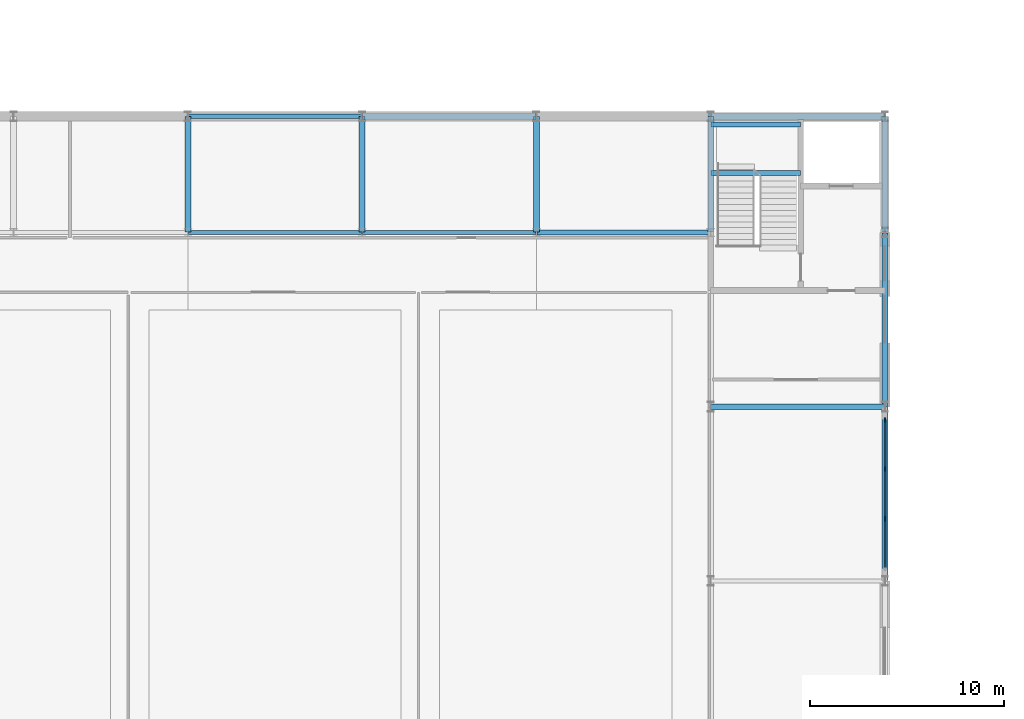
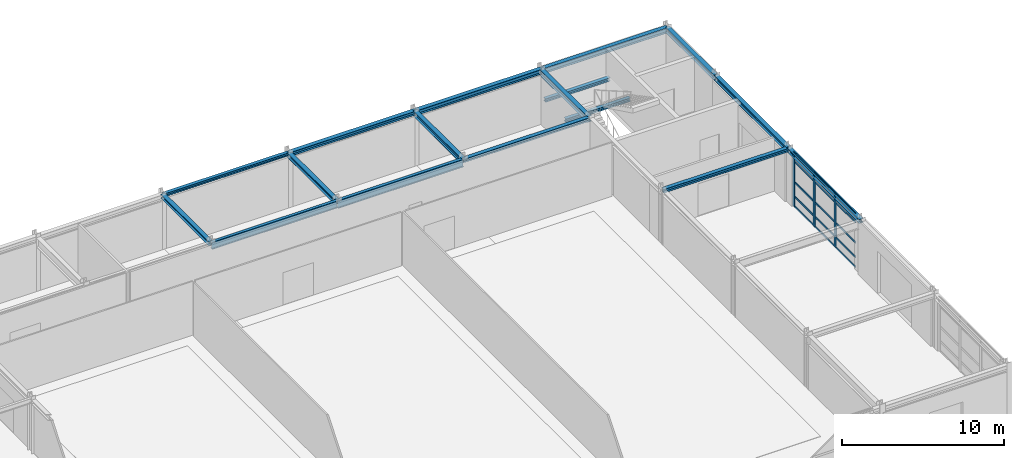
# One storey, part 45 of 72: 18 members, 17 beams, 1 element without a shape of its own.
"""IFC4 building model written with IfcOpenShell, lengths in metres."""

from ifc_helpers import new_model, si_unit, direction, frame, origin, origin_2d, place, context, subcontext, project, spatial, rectangle, i_section, extrude, material, material_profile, profile_set, type_object, element, aggregate, save


model = new_model("IFC4")

# Units and contexts
model_context = context("Model", 3, precision=1e-05, world=origin(), true_north=direction((0.0, 1.0)))
body_context = subcontext(model_context, "Body", "Model", "MODEL_VIEW")
ifc_project = project(units=[si_unit("LENGTHUNIT", "METRE"), si_unit("AREAUNIT", "SQUARE_METRE"), si_unit("VOLUMEUNIT", "CUBIC_METRE"), si_unit("PLANEANGLEUNIT", "RADIAN"), si_unit("MASSUNIT", "GRAM", prefix="KILO")], contexts=[model_context])

# Site, building, storey
site_placement = place(None, origin())
site = spatial("IfcSite", under=ifc_project, at=site_placement, CompositionType="ELEMENT")
building_placement = place(site_placement, origin())
building = spatial("IfcBuilding", under=site, at=building_placement, Name="Palais des Congres Ocreval", CompositionType="ELEMENT")
storey_placement = place(building_placement, origin())
storey = spatial("IfcBuildingStorey", under=building, at=storey_placement, Name="L00", CompositionType="ELEMENT", Elevation=0.0)

# Beams
ifc_material_1 = material(Name="Steel S355", Category="steel")
ifc_material_profile_1 = material_profile(ifc_material_1, i_section(OverallWidth=0.2099609375, OverallDepth=0.550048828125, WebThickness=0.010986328125, FlangeThickness=0.01708984375, at=origin_2d()), Name="IPE 550")
ifc_profile_set_1 = profile_set([ifc_material_profile_1], Name="Steel S355")
beam_type_1 = type_object("IfcBeamType", Name="Composite Beam IPE 550 Steel S355", PredefinedType="BEAM", material=ifc_profile_set_1)
beam_1_placement = place(storey_placement, frame((126.02001953125, 108.0, 3.780029296875), z_axis=(1.0, 0.0, 0.0), x_axis=(0.0, 1.0, 0.0)))
element("IfcBeam", 1, at=beam_1_placement, inside=storey, type_object=beam_type_1, Name="Beam B05 L00", PredefinedType="BEAM", context=body_context, shape_type="SweptSolid", body=[
    extrude(i_section(OverallWidth=0.2099609375, OverallDepth=0.550048828125, WebThickness=0.010986328125, FlangeThickness=0.01708984375, at=origin_2d()), origin(), (0.0, 0.0, 1.0), 8.9599609375),
])
ifc_material_profile_2 = material_profile(ifc_material_1, i_section(OverallWidth=0.219970703125, OverallDepth=0.60009765625, WebThickness=0.011962890625, FlangeThickness=0.01904296875, at=origin_2d()), Name="IPE 600")
ifc_profile_set_2 = profile_set([ifc_material_profile_2], Name="Steel S355")
beam_type_2 = type_object("IfcBeamType", Name="Composite Beam IPE 600 Steel S355", PredefinedType="BEAM", material=ifc_profile_set_2)
beam_2_placement = place(storey_placement, frame((135.02001953125, 108.0, 3.7548828125), z_axis=(1.0, 0.0, 0.0), x_axis=(0.0, 1.0, 0.0)))
element("IfcBeam", 2, at=beam_2_placement, inside=storey, type_object=beam_type_2, Name="Beam B06 L00", PredefinedType="BEAM", context=body_context, shape_type="SweptSolid", body=[
    extrude(i_section(OverallWidth=0.219970703125, OverallDepth=0.60009765625, WebThickness=0.011962890625, FlangeThickness=0.01904296875, at=origin_2d()), origin(), (0.0, 0.0, 1.0), 8.9599609375),
])

# Curtain wall, members
ifc_material_2 = material(Name="Anodized bronze aluminium and low-E glass", Category="glass")
curtain_wall_type = type_object("IfcCurtainWallType", Name="Unitised Curtain Wall 7900x4060", PredefinedType="USERDEFINED", material=ifc_material_2)
curtain_wall_placement = place(storey_placement, origin())
curtain_wall = element("IfcCurtainWall", 3, at=curtain_wall_placement, inside=storey, type_object=curtain_wall_type, Name="Unitised Curtain Wall CW01 L00", ObjectType="UNITISED CURTAIN WALL", PredefinedType="USERDEFINED")
ifc_material_3 = material(Name="Anodized bronze aluminium", Category="aluminium")
ifc_material_profile_3 = material_profile(ifc_material_3, rectangle(XDim=0.074951171875, YDim=0.239990234375, at=origin_2d()), Name="ALU 75x240")
ifc_profile_set_3 = profile_set([ifc_material_profile_3], Name="Anodized bronze aluminium")
member_type_1 = type_object("IfcMemberType", Name="Curtain Wall Mullion ALU 75x240", PredefinedType="MULLION", material=ifc_profile_set_3)
member_1_placement = place(storey_placement, frame((162.0, 98.3125, 0.0), z_axis=(0.0, 0.0, 1.0), x_axis=(1.0, 0.0, 0.0)))
member_1 = element("IfcMember", 4, at=member_1_placement, type_object=member_type_1, Name="Curtain Wall Mullion ML01", PredefinedType="MULLION", context=body_context, shape_type="SweptSolid", body=[
    extrude(rectangle(XDim=0.074951171875, YDim=0.239990234375, at=origin_2d()), origin(), (0.0, 0.0, 1.0), 4.054931640625),
])
member_2_placement = place(storey_placement, frame((162.0, 95.783203125, 0.0), z_axis=(0.0, 0.0, 1.0), x_axis=(1.0, 0.0, 0.0)))
member_2 = element("IfcMember", 5, at=member_2_placement, type_object=member_type_1, Name="Curtain Wall Mullion ML01", PredefinedType="MULLION", context=body_context, shape_type="SweptSolid", body=[
    extrude(rectangle(XDim=0.074951171875, YDim=0.239990234375, at=origin_2d()), origin(), (0.0, 0.0, 1.0), 4.054931640625),
])
member_3_placement = place(storey_placement, frame((162.0, 93.216796875, 0.0), z_axis=(0.0, 0.0, 1.0), x_axis=(1.0, 0.0, 0.0)))
member_3 = element("IfcMember", 6, at=member_3_placement, type_object=member_type_1, Name="Curtain Wall Mullion ML01", PredefinedType="MULLION", context=body_context, shape_type="SweptSolid", body=[
    extrude(rectangle(XDim=0.074951171875, YDim=0.239990234375, at=origin_2d()), origin(), (0.0, 0.0, 1.0), 4.054931640625),
])
ifc_material_profile_4 = material_profile(ifc_material_3, rectangle(XDim=0.06005859375, YDim=0.14990234375, at=origin_2d()), Name="ALU 60x150")
ifc_profile_set_4 = profile_set([ifc_material_profile_4], Name="Anodized bronze aluminium")
member_type_2 = type_object("IfcMemberType", Name="Curtain Wall Transom ALU 60x150", PredefinedType="USERDEFINED", material=ifc_profile_set_4)
member_4_placement = place(storey_placement, frame((162.0, 98.27490234375, 0.030029296875), z_axis=(0.0, -1.0, 0.0), x_axis=(1.0, 0.0, 0.0)))
member_4 = element("IfcMember", 7, at=member_4_placement, type_object=member_type_2, Name="Curtain Wall Transom TR01", ObjectType="TRANSOM", PredefinedType="USERDEFINED", context=body_context, shape_type="SweptSolid", body=[
    extrude(rectangle(XDim=0.06005859375, YDim=0.14990234375, at=origin_2d()), origin(), (0.0, 0.0, 1.0), 2.4541015625),
])
member_5_placement = place(storey_placement, frame((162.0, 98.27490234375, 0.780029296875), z_axis=(0.0, -1.0, 0.0), x_axis=(1.0, 0.0, 0.0)))
member_5 = element("IfcMember", 8, at=member_5_placement, type_object=member_type_2, Name="Curtain Wall Transom TR01", ObjectType="TRANSOM", PredefinedType="USERDEFINED", context=body_context, shape_type="SweptSolid", body=[
    extrude(rectangle(XDim=0.06005859375, YDim=0.14990234375, at=origin_2d()), origin(), (0.0, 0.0, 1.0), 2.4541015625),
])
member_6_placement = place(storey_placement, frame((162.0, 98.27490234375, 1.872802734375), z_axis=(0.0, -1.0, 0.0), x_axis=(1.0, 0.0, 0.0)))
member_6 = element("IfcMember", 9, at=member_6_placement, type_object=member_type_2, Name="Curtain Wall Transom TR01", ObjectType="TRANSOM", PredefinedType="USERDEFINED", context=body_context, shape_type="SweptSolid", body=[
    extrude(rectangle(XDim=0.06005859375, YDim=0.14990234375, at=origin_2d()), origin(), (0.0, 0.0, 1.0), 2.4541015625),
])
member_7_placement = place(storey_placement, frame((162.0, 98.27490234375, 3.405029296875), z_axis=(0.0, -1.0, 0.0), x_axis=(1.0, 0.0, 0.0)))
member_7 = element("IfcMember", 10, at=member_7_placement, type_object=member_type_2, Name="Curtain Wall Transom TR01", ObjectType="TRANSOM", PredefinedType="USERDEFINED", context=body_context, shape_type="SweptSolid", body=[
    extrude(rectangle(XDim=0.06005859375, YDim=0.14990234375, at=origin_2d()), origin(), (0.0, 0.0, 1.0), 2.4541015625),
])
member_8_placement = place(storey_placement, frame((162.0, 98.27490234375, 4.02490234375), z_axis=(0.0, -1.0, 0.0), x_axis=(1.0, 0.0, 0.0)))
member_8 = element("IfcMember", 11, at=member_8_placement, type_object=member_type_2, Name="Curtain Wall Transom TR01", ObjectType="TRANSOM", PredefinedType="USERDEFINED", context=body_context, shape_type="SweptSolid", body=[
    extrude(rectangle(XDim=0.06005859375, YDim=0.14990234375, at=origin_2d()), origin(), (0.0, 0.0, 1.0), 2.4541015625),
])
member_9_placement = place(storey_placement, frame((162.0, 95.745849609375, 0.030029296875), z_axis=(0.0, -1.0, 0.0), x_axis=(1.0, 0.0, 0.0)))
member_9 = element("IfcMember", 12, at=member_9_placement, type_object=member_type_2, Name="Curtain Wall Transom TR01", ObjectType="TRANSOM", PredefinedType="USERDEFINED", context=body_context, shape_type="SweptSolid", body=[
    extrude(rectangle(XDim=0.06005859375, YDim=0.14990234375, at=origin_2d()), origin(), (0.0, 0.0, 1.0), 2.49169921875),
])
member_10_placement = place(storey_placement, frame((162.0, 95.745849609375, 0.780029296875), z_axis=(0.0, -1.0, 0.0), x_axis=(1.0, 0.0, 0.0)))
member_10 = element("IfcMember", 13, at=member_10_placement, type_object=member_type_2, Name="Curtain Wall Transom TR01", ObjectType="TRANSOM", PredefinedType="USERDEFINED", context=body_context, shape_type="SweptSolid", body=[
    extrude(rectangle(XDim=0.06005859375, YDim=0.14990234375, at=origin_2d()), origin(), (0.0, 0.0, 1.0), 2.49169921875),
])
member_11_placement = place(storey_placement, frame((162.0, 95.745849609375, 1.872802734375), z_axis=(0.0, -1.0, 0.0), x_axis=(1.0, 0.0, 0.0)))
member_11 = element("IfcMember", 14, at=member_11_placement, type_object=member_type_2, Name="Curtain Wall Transom TR01", ObjectType="TRANSOM", PredefinedType="USERDEFINED", context=body_context, shape_type="SweptSolid", body=[
    extrude(rectangle(XDim=0.06005859375, YDim=0.14990234375, at=origin_2d()), origin(), (0.0, 0.0, 1.0), 2.49169921875),
])
member_12_placement = place(storey_placement, frame((162.0, 95.745849609375, 3.405029296875), z_axis=(0.0, -1.0, 0.0), x_axis=(1.0, 0.0, 0.0)))
member_12 = element("IfcMember", 15, at=member_12_placement, type_object=member_type_2, Name="Curtain Wall Transom TR01", ObjectType="TRANSOM", PredefinedType="USERDEFINED", context=body_context, shape_type="SweptSolid", body=[
    extrude(rectangle(XDim=0.06005859375, YDim=0.14990234375, at=origin_2d()), origin(), (0.0, 0.0, 1.0), 2.49169921875),
])
member_13_placement = place(storey_placement, frame((162.0, 95.745849609375, 4.02490234375), z_axis=(0.0, -1.0, 0.0), x_axis=(1.0, 0.0, 0.0)))
member_13 = element("IfcMember", 16, at=member_13_placement, type_object=member_type_2, Name="Curtain Wall Transom TR01", ObjectType="TRANSOM", PredefinedType="USERDEFINED", context=body_context, shape_type="SweptSolid", body=[
    extrude(rectangle(XDim=0.06005859375, YDim=0.14990234375, at=origin_2d()), origin(), (0.0, 0.0, 1.0), 2.49169921875),
])
member_14_placement = place(storey_placement, frame((162.0, 93.17919921875, 0.030029296875), z_axis=(0.0, -1.0, 0.0), x_axis=(1.0, 0.0, 0.0)))
member_14 = element("IfcMember", 17, at=member_14_placement, type_object=member_type_2, Name="Curtain Wall Transom TR01", ObjectType="TRANSOM", PredefinedType="USERDEFINED", context=body_context, shape_type="SweptSolid", body=[
    extrude(rectangle(XDim=0.06005859375, YDim=0.14990234375, at=origin_2d()), origin(), (0.0, 0.0, 1.0), 2.4541015625),
])
member_15_placement = place(storey_placement, frame((162.0, 93.17919921875, 0.780029296875), z_axis=(0.0, -1.0, 0.0), x_axis=(1.0, 0.0, 0.0)))
member_15 = element("IfcMember", 18, at=member_15_placement, type_object=member_type_2, Name="Curtain Wall Transom TR01", ObjectType="TRANSOM", PredefinedType="USERDEFINED", context=body_context, shape_type="SweptSolid", body=[
    extrude(rectangle(XDim=0.06005859375, YDim=0.14990234375, at=origin_2d()), origin(), (0.0, 0.0, 1.0), 2.4541015625),
])
member_16_placement = place(storey_placement, frame((162.0, 93.17919921875, 1.872802734375), z_axis=(0.0, -1.0, 0.0), x_axis=(1.0, 0.0, 0.0)))
member_16 = element("IfcMember", 19, at=member_16_placement, type_object=member_type_2, Name="Curtain Wall Transom TR01", ObjectType="TRANSOM", PredefinedType="USERDEFINED", context=body_context, shape_type="SweptSolid", body=[
    extrude(rectangle(XDim=0.06005859375, YDim=0.14990234375, at=origin_2d()), origin(), (0.0, 0.0, 1.0), 2.4541015625),
])
member_17_placement = place(storey_placement, frame((162.0, 93.17919921875, 3.405029296875), z_axis=(0.0, -1.0, 0.0), x_axis=(1.0, 0.0, 0.0)))
member_17 = element("IfcMember", 20, at=member_17_placement, type_object=member_type_2, Name="Curtain Wall Transom TR01", ObjectType="TRANSOM", PredefinedType="USERDEFINED", context=body_context, shape_type="SweptSolid", body=[
    extrude(rectangle(XDim=0.06005859375, YDim=0.14990234375, at=origin_2d()), origin(), (0.0, 0.0, 1.0), 2.4541015625),
])
member_18_placement = place(storey_placement, frame((162.0, 93.17919921875, 4.02490234375), z_axis=(0.0, -1.0, 0.0), x_axis=(1.0, 0.0, 0.0)))
member_18 = element("IfcMember", 21, at=member_18_placement, type_object=member_type_2, Name="Curtain Wall Transom TR01", ObjectType="TRANSOM", PredefinedType="USERDEFINED", context=body_context, shape_type="SweptSolid", body=[
    extrude(rectangle(XDim=0.06005859375, YDim=0.14990234375, at=origin_2d()), origin(), (0.0, 0.0, 1.0), 2.4541015625),
])
aggregate(curtain_wall, [member_1, member_2, member_3, member_4, member_5, member_6, member_7, member_8, member_9, member_10, member_11, member_12, member_13, member_14, member_15, member_16, member_17, member_18])

# Beams
ifc_material_profile_5 = material_profile(ifc_material_1, i_section(OverallWidth=0.260009765625, OverallDepth=0.260009765625, WebThickness=0.010009765625, FlangeThickness=0.017578125, at=origin_2d()), Name="HEB 260")
ifc_profile_set_5 = profile_set([ifc_material_profile_5], Name="Steel S355")
beam_type_3 = type_object("IfcBeamType", Name="Opening Lintel HEB 260 Steel S355", PredefinedType="LINTEL", material=ifc_profile_set_5)
for number, where, z_axis, x_axis, name in (
    (22, (153.02001953125, 111.070068359375, 1.909912109375), (1.0, 0.0, 0.0), (0.0, 1.0, 0.0), "Stair Landing Support Beam ST08 L00-1"),
    (23, (153.02001953125, 113.580078125, 1.909912109375), (1.0, 0.0, 0.0), (0.0, 1.0, 0.0), "Stair Landing Support Beam ST08 L00-2"),
):
    element("IfcBeam", number, at=place(storey_placement, frame(where, z_axis=z_axis, x_axis=x_axis)), inside=storey, type_object=beam_type_3, Name=name, PredefinedType="LINTEL", context=body_context, shape_type="SweptSolid", body=[
        extrude(i_section(OverallWidth=0.260009765625, OverallDepth=0.260009765625, WebThickness=0.010009765625, FlangeThickness=0.017578125, at=origin_2d()), origin(), (0.0, 0.0, 1.0), 4.60986328125),
    ])
ifc_material_profile_6 = material_profile(ifc_material_1, i_section(OverallWidth=0.239990234375, OverallDepth=0.22998046875, WebThickness=0.007568359375, FlangeThickness=0.011962890625, at=origin_2d()), Name="HEA 240")
ifc_profile_set_6 = profile_set([ifc_material_profile_6], Name="Steel S355")
beam_type_4 = type_object("IfcBeamType", Name="Perimeter Spandrel HEA 240 Steel S355", PredefinedType="SPANDREL", material=ifc_profile_set_6)
beam_3_placement = place(storey_placement, frame((126.02001953125, 114.0, 3.93994140625), z_axis=(1.0, 0.0, 0.0), x_axis=(0.0, 1.0, 0.0)))
element("IfcBeam", 24, at=beam_3_placement, inside=storey, type_object=beam_type_4, Name="Beam SP01 L00", PredefinedType="SPANDREL", context=body_context, shape_type="SweptSolid", body=[
    extrude(i_section(OverallWidth=0.239990234375, OverallDepth=0.22998046875, WebThickness=0.007568359375, FlangeThickness=0.011962890625, at=origin_2d()), origin(), (0.0, 0.0, 1.0), 8.9599609375),
])
ifc_material_profile_7 = material_profile(ifc_material_1, i_section(OverallWidth=0.300048828125, OverallDepth=0.300048828125, WebThickness=0.010986328125, FlangeThickness=0.01904296875, at=origin_2d()), Name="HEB 300")
ifc_profile_set_7 = profile_set([ifc_material_profile_7], Name="Steel S355")
beam_type_5 = type_object("IfcBeamType", Name="Perimeter Spandrel HEB 300 Steel S355", PredefinedType="SPANDREL", material=ifc_profile_set_7)
for number, where, z_axis, x_axis, name in (
    (25, (135.02001953125, 114.0, 3.905029296875), (1.0, 0.0, 0.0), (0.0, 1.0, 0.0), "Beam SP02 L00"),
    (26, (162.0, 90.02001953125, 3.905029296875), (0.0, 1.0, 0.0), (-1.0, 0.0, 0.0), "Girder SP02 L00"),
):
    element("IfcBeam", number, at=place(storey_placement, frame(where, z_axis=z_axis, x_axis=x_axis)), inside=storey, type_object=beam_type_5, Name=name, PredefinedType="SPANDREL", context=body_context, shape_type="SweptSolid", body=[
        extrude(i_section(OverallWidth=0.300048828125, OverallDepth=0.300048828125, WebThickness=0.010986328125, FlangeThickness=0.01904296875, at=origin_2d()), origin(), (0.0, 0.0, 1.0), 8.9599609375),
    ])
ifc_material_profile_8 = material_profile(ifc_material_1, i_section(OverallWidth=0.300048828125, OverallDepth=0.360107421875, WebThickness=0.012451171875, FlangeThickness=0.0224609375, at=origin_2d()), Name="HEB 360")
ifc_profile_set_8 = profile_set([ifc_material_profile_8], Name="Steel S355")
beam_type_6 = type_object("IfcBeamType", Name="Perimeter Spandrel HEB 360 Steel S355", PredefinedType="SPANDREL", material=ifc_profile_set_8)
for number, where, z_axis, x_axis, name in (
    (27, (144.02001953125, 114.0, 3.875), (1.0, 0.0, 0.0), (0.0, 1.0, 0.0), "Beam SP03 L00"),
    (28, (162.0, 99.02001953125, 3.875), (0.0, 1.0, 0.0), (-1.0, 0.0, 0.0), "Girder SP03 L00"),
):
    element("IfcBeam", number, at=place(storey_placement, frame(where, z_axis=z_axis, x_axis=x_axis)), inside=storey, type_object=beam_type_6, Name=name, PredefinedType="SPANDREL", context=body_context, shape_type="SweptSolid", body=[
        extrude(i_section(OverallWidth=0.300048828125, OverallDepth=0.360107421875, WebThickness=0.012451171875, FlangeThickness=0.0224609375, at=origin_2d()), origin(), (0.0, 0.0, 1.0), 8.9599609375),
    ])
ifc_material_profile_9 = material_profile(ifc_material_1, i_section(OverallWidth=0.300048828125, OverallDepth=0.39990234375, WebThickness=0.013427734375, FlangeThickness=0.02392578125, at=origin_2d()), Name="HEB 400")
ifc_profile_set_9 = profile_set([ifc_material_profile_9], Name="Steel S355")
beam_type_7 = type_object("IfcBeamType", Name="Perimeter Spandrel HEB 400 Steel S355", PredefinedType="SPANDREL", material=ifc_profile_set_9)
beam_4_placement = place(storey_placement, frame((153.02001953125, 114.0, 3.85498046875), z_axis=(1.0, 0.0, 0.0), x_axis=(0.0, 1.0, 0.0)))
element("IfcBeam", 29, at=beam_4_placement, inside=storey, type_object=beam_type_7, Name="Beam SP04 L00", PredefinedType="SPANDREL", context=body_context, shape_type="SweptSolid", body=[
    extrude(i_section(OverallWidth=0.300048828125, OverallDepth=0.39990234375, WebThickness=0.013427734375, FlangeThickness=0.02392578125, at=origin_2d()), origin(), (0.0, 0.0, 1.0), 8.9599609375),
])
beam_5_placement = place(storey_placement, frame((162.0, 108.02001953125, 3.85498046875), z_axis=(0.0, 1.0, 0.0), x_axis=(-1.0, 0.0, 0.0)))
element("IfcBeam", 30, at=beam_5_placement, inside=storey, type_object=beam_type_7, Name="Girder SP04 L00", PredefinedType="SPANDREL", context=body_context, shape_type="SweptSolid", body=[
    extrude(i_section(OverallWidth=0.300048828125, OverallDepth=0.39990234375, WebThickness=0.013427734375, FlangeThickness=0.02392578125, at=origin_2d()), origin(), (0.0, 0.0, 1.0), 5.9599609375),
])
ifc_material_profile_10 = material_profile(ifc_material_1, i_section(OverallWidth=0.280029296875, OverallDepth=0.27001953125, WebThickness=0.008056640625, FlangeThickness=0.012939453125, at=origin_2d()), Name="HEA 280")
ifc_profile_set_10 = profile_set([ifc_material_profile_10], Name="Steel S355")
beam_type_8 = type_object("IfcBeamType", Name="Primary Beam HEA 280 Steel S355", PredefinedType="BEAM", material=ifc_profile_set_10)
for number, where, z_axis, x_axis, name in (
    (31, (144.02001953125, 108.0, 3.919921875), (1.0, 0.0, 0.0), (0.0, 1.0, 0.0), "Beam B07 L00"),
    (32, (153.02001953125, 99.0, 3.919921875), (1.0, 0.0, 0.0), (0.0, 1.0, 0.0), "Beam B07 L00"),
):
    element("IfcBeam", number, at=place(storey_placement, frame(where, z_axis=z_axis, x_axis=x_axis)), inside=storey, type_object=beam_type_8, Name=name, PredefinedType="BEAM", context=body_context, shape_type="SweptSolid", body=[
        extrude(i_section(OverallWidth=0.280029296875, OverallDepth=0.27001953125, WebThickness=0.008056640625, FlangeThickness=0.012939453125, at=origin_2d()), origin(), (0.0, 0.0, 1.0), 8.9599609375),
    ])
ifc_material_profile_11 = material_profile(ifc_material_1, i_section(OverallWidth=0.300048828125, OverallDepth=0.2900390625, WebThickness=0.008544921875, FlangeThickness=0.013916015625, at=origin_2d()), Name="HEA 300")
ifc_profile_set_11 = profile_set([ifc_material_profile_11], Name="Steel S355")
beam_type_9 = type_object("IfcBeamType", Name="Primary Beam HEA 300 Steel S355", PredefinedType="BEAM", material=ifc_profile_set_11)
beam_6_placement = place(storey_placement, frame((126.0, 108.02001953125, 3.909912109375), z_axis=(0.0, 1.0, 0.0), x_axis=(-1.0, 0.0, 0.0)))
element("IfcBeam", 33, at=beam_6_placement, inside=storey, type_object=beam_type_9, Name="Girder B08 L00", PredefinedType="BEAM", context=body_context, shape_type="SweptSolid", body=[
    extrude(i_section(OverallWidth=0.300048828125, OverallDepth=0.2900390625, WebThickness=0.008544921875, FlangeThickness=0.013916015625, at=origin_2d()), origin(), (0.0, 0.0, 1.0), 5.9599609375),
])
ifc_material_profile_12 = material_profile(ifc_material_1, i_section(OverallWidth=0.300048828125, OverallDepth=0.330078125, WebThickness=0.009521484375, FlangeThickness=0.0166015625, at=origin_2d()), Name="HEA 340")
ifc_profile_set_12 = profile_set([ifc_material_profile_12], Name="Steel S355")
beam_type_10 = type_object("IfcBeamType", Name="Primary Beam HEA 340 Steel S355", PredefinedType="BEAM", material=ifc_profile_set_12)
beam_7_placement = place(storey_placement, frame((135.0, 108.02001953125, 3.889892578125), z_axis=(0.0, 1.0, 0.0), x_axis=(-1.0, 0.0, 0.0)))
element("IfcBeam", 34, at=beam_7_placement, inside=storey, type_object=beam_type_10, Name="Girder B09 L00", PredefinedType="BEAM", context=body_context, shape_type="SweptSolid", body=[
    extrude(i_section(OverallWidth=0.300048828125, OverallDepth=0.330078125, WebThickness=0.009521484375, FlangeThickness=0.0166015625, at=origin_2d()), origin(), (0.0, 0.0, 1.0), 5.9599609375),
])
ifc_material_profile_13 = material_profile(ifc_material_1, i_section(OverallWidth=0.300048828125, OverallDepth=0.389892578125, WebThickness=0.010986328125, FlangeThickness=0.01904296875, at=origin_2d()), Name="HEA 400")
ifc_profile_set_13 = profile_set([ifc_material_profile_13], Name="Steel S355")
beam_type_11 = type_object("IfcBeamType", Name="Primary Beam HEA 400 Steel S355", PredefinedType="BEAM", material=ifc_profile_set_13)
beam_8_placement = place(storey_placement, frame((144.0, 108.02001953125, 3.860107421875), z_axis=(0.0, 1.0, 0.0), x_axis=(-1.0, 0.0, 0.0)))
element("IfcBeam", 35, at=beam_8_placement, inside=storey, type_object=beam_type_11, Name="Girder B10 L00", PredefinedType="BEAM", context=body_context, shape_type="SweptSolid", body=[
    extrude(i_section(OverallWidth=0.300048828125, OverallDepth=0.389892578125, WebThickness=0.010986328125, FlangeThickness=0.01904296875, at=origin_2d()), origin(), (0.0, 0.0, 1.0), 5.9599609375),
])
ifc_material_profile_14 = material_profile(ifc_material_1, i_section(OverallWidth=0.300048828125, OverallDepth=0.43994140625, WebThickness=0.011474609375, FlangeThickness=0.02099609375, at=origin_2d()), Name="HEA 450")
ifc_profile_set_14 = profile_set([ifc_material_profile_14], Name="Steel S355")
beam_type_12 = type_object("IfcBeamType", Name="Primary Beam HEA 450 Steel S355", PredefinedType="BEAM", material=ifc_profile_set_14)
beam_9_placement = place(storey_placement, frame((153.0, 108.02001953125, 3.8349609375), z_axis=(0.0, 1.0, 0.0), x_axis=(-1.0, 0.0, 0.0)))
element("IfcBeam", 36, at=beam_9_placement, inside=storey, type_object=beam_type_12, Name="Girder B11 L00", PredefinedType="BEAM", context=body_context, shape_type="SweptSolid", body=[
    extrude(i_section(OverallWidth=0.300048828125, OverallDepth=0.43994140625, WebThickness=0.011474609375, FlangeThickness=0.02099609375, at=origin_2d()), origin(), (0.0, 0.0, 1.0), 5.9599609375),
])

save(model, "model.ifc")
